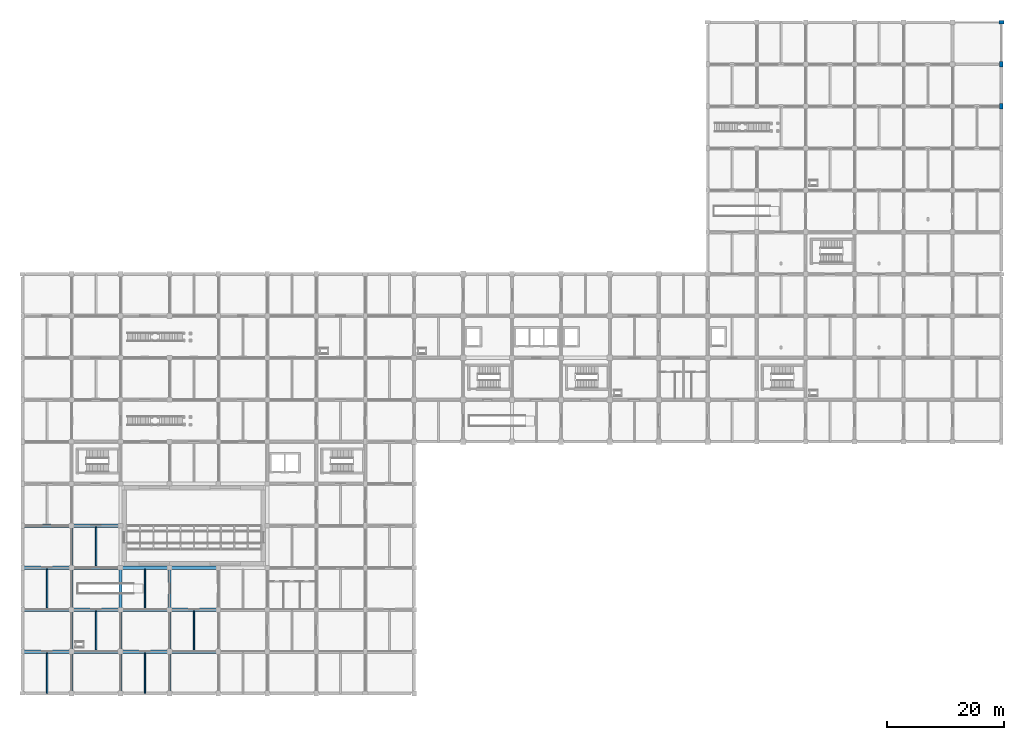
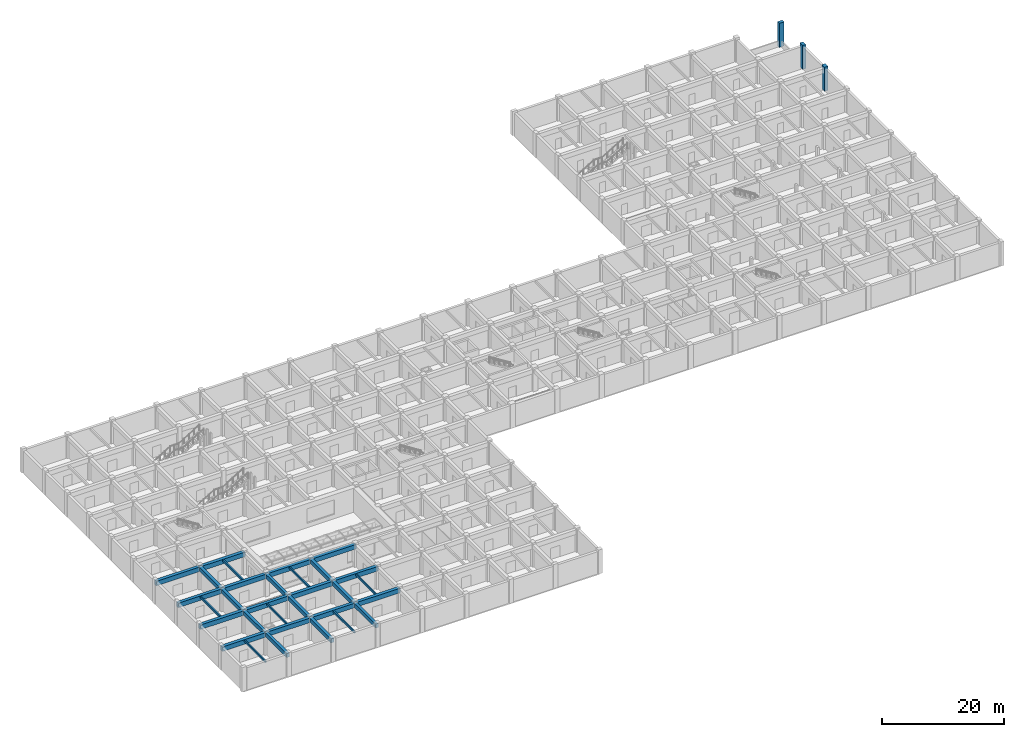
# One storey, part 7 of 32: 31 beams, 3 columns.
"""IFC4 building model written with IfcOpenShell, lengths in metres."""

from ifc_helpers import new_model, si_unit, derived_unit, direction, frame, origin, origin_2d, place, context, subcontext, project, spatial, rectangle, extrude, material, material_profile, profile_set, type_object, element, save


model = new_model("IFC4")

# Units and contexts
model_context = context("Model", 3, precision=1e-05, world=origin(), true_north=direction((0.0, 1.0)))
body_context = subcontext(model_context, "Body", "Model", "MODEL_VIEW")
ifc_project = project(units=[si_unit("LENGTHUNIT", "METRE"), si_unit("AREAUNIT", "SQUARE_METRE"), si_unit("VOLUMEUNIT", "CUBIC_METRE"), si_unit("PLANEANGLEUNIT", "RADIAN"), si_unit("MASSUNIT", "GRAM", prefix="KILO"), derived_unit("THERMALTRANSMITTANCEUNIT", [(si_unit("MASSUNIT", "GRAM", prefix="KILO"), 1), (si_unit("TIMEUNIT", "SECOND"), -3), (si_unit("THERMODYNAMICTEMPERATUREUNIT", "KELVIN"), -1)])], contexts=[model_context])

# Site, building, storey
site_placement = place(None, origin())
site = spatial("IfcSite", under=ifc_project, at=site_placement, CompositionType="ELEMENT")
building_placement = place(site_placement, origin())
building = spatial("IfcBuilding", under=site, at=building_placement, Name="Veldstrom Oceanarium and Marine Research Institute", CompositionType="ELEMENT")
storey_placement = place(building_placement, frame((0.0, 0.0, -4.800048828125)))
storey = spatial("IfcBuildingStorey", under=building, at=storey_placement, Name="B01", CompositionType="ELEMENT", Elevation=-4.800048828125)

# Columns
ifc_material_1 = material(Name="Concrete C50/60", Category="concrete")
ifc_material_profile_1 = material_profile(ifc_material_1, rectangle(XDim=0.60009765625, YDim=0.89990234375, at=origin_2d()), Name="RC-COL-900x600")
ifc_profile_set_1 = profile_set([ifc_material_profile_1], Name="Concrete C50/60")
column_type = type_object("IfcColumnType", Name="STR-COL-C11", PredefinedType="COLUMN", material=ifc_profile_set_1)
for number, where, z_axis, x_axis, name in (
    (1, (168.0, 100.800048828125, 0.0), (0.0, 0.0, 1.0), (1.0, 0.0, 0.0), "Column C11 21/Q B01"),
    (2, (168.0, 108.0, 0.0), (0.0, 0.0, 1.0), (1.0, 0.0, 0.0), "Column C11 21/R B01"),
    (3, (168.0, 115.199951171875, 0.0), (0.0, 0.0, 1.0), (0.0, 1.0, 0.0), "Column C11 21/S B01"),
):
    element("IfcColumn", number, at=place(storey_placement, frame(where, z_axis=z_axis, x_axis=x_axis)), inside=storey, type_object=column_type, Name=name, PredefinedType="COLUMN", context=body_context, shape_type="SweptSolid", body=[
        extrude(rectangle(XDim=0.60009765625, YDim=0.89990234375, at=origin_2d()), origin(), (0.0, 0.0, 1.0), 4.800048828125),
    ])

# Beams
ifc_material_2 = material(Name="Concrete C40/50", Category="concrete")
ifc_material_profile_2 = material_profile(ifc_material_2, rectangle(XDim=0.60009765625, YDim=0.89990234375, at=origin_2d()), Name="RC-BM-600x900")
ifc_profile_set_2 = profile_set([ifc_material_profile_2], Name="Concrete C40/50")
beam_type_1 = type_object("IfcBeamType", Name="STR-BM-B01", PredefinedType="BEAM", material=ifc_profile_set_2)
for number, where, z_axis, x_axis, name in (
    (4, (0.0, 7.199951171875, 3.9951171875), (1.0, 0.0, 0.0), (0.0, 1.0, 0.0), "Primary Beam B01 B01-0361"),
    (5, (0.0, 14.39990234375, 3.9951171875), (1.0, 0.0, 0.0), (0.0, 1.0, 0.0), "Primary Beam B01 B01-0362"),
    (6, (0.0, 21.60009765625, 3.9951171875), (1.0, 0.0, 0.0), (0.0, 1.0, 0.0), "Primary Beam B01 B01-0363"),
    (7, (0.0, 28.800048828125, 3.9951171875), (1.0, 0.0, 0.0), (0.0, 1.0, 0.0), "Primary Beam B01 B01-0364"),
):
    element("IfcBeam", number, at=place(storey_placement, frame(where, z_axis=z_axis, x_axis=x_axis)), inside=storey, type_object=beam_type_1, Name=name, PredefinedType="BEAM", context=body_context, shape_type="SweptSolid", body=[
        extrude(rectangle(XDim=0.60009765625, YDim=0.89990234375, at=origin_2d()), origin(), (0.0, 0.0, 1.0), 8.39990234375),
    ])
for number, where, z_axis, x_axis, name in (
    (8, (8.39990234375, 7.199951171875, 3.9951171875), (1.0, 0.0, 0.0), (0.0, 1.0, 0.0), "Primary Beam B01 B01-0370"),
    (9, (8.39990234375, 14.39990234375, 3.9951171875), (1.0, 0.0, 0.0), (0.0, 1.0, 0.0), "Primary Beam B01 B01-0371"),
    (10, (8.39990234375, 21.60009765625, 3.9951171875), (1.0, 0.0, 0.0), (0.0, 1.0, 0.0), "Primary Beam B01 B01-0372"),
    (11, (8.39990234375, 28.800048828125, 3.9951171875), (1.0, 0.0, 0.0), (0.0, 1.0, 0.0), "Primary Beam B01 B01-0373"),
):
    element("IfcBeam", number, at=place(storey_placement, frame(where, z_axis=z_axis, x_axis=x_axis)), inside=storey, type_object=beam_type_1, Name=name, PredefinedType="BEAM", context=body_context, shape_type="SweptSolid", body=[
        extrude(rectangle(XDim=0.60009765625, YDim=0.89990234375, at=origin_2d()), origin(), (0.0, 0.0, 1.0), 8.400146484375),
    ])
for number, where, z_axis, x_axis, name in (
    (12, (16.800048828125, 7.199951171875, 3.9951171875), (1.0, 0.0, 0.0), (0.0, 1.0, 0.0), "Primary Beam B01 B01-0379"),
    (13, (16.800048828125, 14.39990234375, 3.9951171875), (1.0, 0.0, 0.0), (0.0, 1.0, 0.0), "Primary Beam B01 B01-0380"),
    (14, (16.800048828125, 21.60009765625, 3.9951171875), (1.0, 0.0, 0.0), (0.0, 1.0, 0.0), "Primary Beam B01 B01-0381"),
):
    element("IfcBeam", number, at=place(storey_placement, frame(where, z_axis=z_axis, x_axis=x_axis)), inside=storey, type_object=beam_type_1, Name=name, PredefinedType="BEAM", context=body_context, shape_type="SweptSolid", body=[
        extrude(rectangle(XDim=0.60009765625, YDim=0.89990234375, at=origin_2d()), origin(), (0.0, 0.0, 1.0), 8.39990234375),
    ])
for number, where, z_axis, x_axis, name in (
    (15, (25.199951171875, 7.199951171875, 3.9951171875), (1.0, 0.0, 0.0), (0.0, 1.0, 0.0), "Primary Beam B01 B01-0387"),
    (16, (25.199951171875, 14.39990234375, 3.9951171875), (1.0, 0.0, 0.0), (0.0, 1.0, 0.0), "Primary Beam B01 B01-0388"),
    (17, (25.199951171875, 21.60009765625, 3.9951171875), (1.0, 0.0, 0.0), (0.0, 1.0, 0.0), "Primary Beam B01 B01-0389"),
):
    element("IfcBeam", number, at=place(storey_placement, frame(where, z_axis=z_axis, x_axis=x_axis)), inside=storey, type_object=beam_type_1, Name=name, PredefinedType="BEAM", context=body_context, shape_type="SweptSolid", body=[
        extrude(rectangle(XDim=0.60009765625, YDim=0.89990234375, at=origin_2d()), origin(), (0.0, 0.0, 1.0), 8.400146484375),
    ])
ifc_material_3 = material(Name="Concrete C40/50", Category="concrete")
ifc_material_profile_3 = material_profile(ifc_material_3, rectangle(XDim=0.550048828125, YDim=0.800048828125, at=origin_2d()), Name="RC-BM-550x800")
ifc_profile_set_3 = profile_set([ifc_material_profile_3], Name="Concrete C40/50")
beam_type_2 = type_object("IfcBeamType", Name="STR-BM-B02", PredefinedType="BEAM", material=ifc_profile_set_3)
for number, where, z_axis, x_axis, name in (
    (18, (8.39990234375, 0.0, 4.045166015625), (0.0, 1.0, 0.0), (-1.0, 0.0, 0.0), "Primary Beam B02 B01-0501"),
    (19, (8.39990234375, 7.199951171875, 4.045166015625), (0.0, 1.0, 0.0), (-1.0, 0.0, 0.0), "Primary Beam B02 B01-0502"),
):
    element("IfcBeam", number, at=place(storey_placement, frame(where, z_axis=z_axis, x_axis=x_axis)), inside=storey, type_object=beam_type_2, Name=name, PredefinedType="BEAM", context=body_context, shape_type="SweptSolid", body=[
        extrude(rectangle(XDim=0.550048828125, YDim=0.800048828125, at=origin_2d()), origin(), (0.0, 0.0, 1.0), 7.199951171875),
    ])
beam_1_placement = place(storey_placement, frame((8.39990234375, 14.39990234375, 4.045166015625), z_axis=(0.0, 1.0, 0.0), x_axis=(-1.0, 0.0, 0.0)))
element("IfcBeam", 20, at=beam_1_placement, inside=storey, type_object=beam_type_2, Name="Primary Beam B02 B01-0503", PredefinedType="BEAM", context=body_context, shape_type="SweptSolid", body=[
    extrude(rectangle(XDim=0.550048828125, YDim=0.800048828125, at=origin_2d()), origin(), (0.0, 0.0, 1.0), 7.2001953125),
])
for number, where, z_axis, x_axis, name in (
    (21, (8.39990234375, 21.60009765625, 4.045166015625), (0.0, 1.0, 0.0), (-1.0, 0.0, 0.0), "Primary Beam B02 B01-0504"),
    (22, (16.800048828125, 0.0, 4.045166015625), (0.0, 1.0, 0.0), (-1.0, 0.0, 0.0), "Primary Beam B02 B01-0511"),
    (23, (16.800048828125, 7.199951171875, 4.045166015625), (0.0, 1.0, 0.0), (-1.0, 0.0, 0.0), "Primary Beam B02 B01-0512"),
):
    element("IfcBeam", number, at=place(storey_placement, frame(where, z_axis=z_axis, x_axis=x_axis)), inside=storey, type_object=beam_type_2, Name=name, PredefinedType="BEAM", context=body_context, shape_type="SweptSolid", body=[
        extrude(rectangle(XDim=0.550048828125, YDim=0.800048828125, at=origin_2d()), origin(), (0.0, 0.0, 1.0), 7.199951171875),
    ])
beam_2_placement = place(storey_placement, frame((16.800048828125, 14.39990234375, 4.045166015625), z_axis=(0.0, 1.0, 0.0), x_axis=(-1.0, 0.0, 0.0)))
element("IfcBeam", 24, at=beam_2_placement, inside=storey, type_object=beam_type_2, Name="Primary Beam B02 B01-0513", PredefinedType="BEAM", context=body_context, shape_type="SweptSolid", body=[
    extrude(rectangle(XDim=0.550048828125, YDim=0.800048828125, at=origin_2d()), origin(), (0.0, 0.0, 1.0), 7.2001953125),
])
for number, where, z_axis, x_axis, name in (
    (25, (25.199951171875, 0.0, 4.045166015625), (0.0, 1.0, 0.0), (-1.0, 0.0, 0.0), "Primary Beam B02 B01-0521"),
    (26, (25.199951171875, 7.199951171875, 4.045166015625), (0.0, 1.0, 0.0), (-1.0, 0.0, 0.0), "Primary Beam B02 B01-0522"),
):
    element("IfcBeam", number, at=place(storey_placement, frame(where, z_axis=z_axis, x_axis=x_axis)), inside=storey, type_object=beam_type_2, Name=name, PredefinedType="BEAM", context=body_context, shape_type="SweptSolid", body=[
        extrude(rectangle(XDim=0.550048828125, YDim=0.800048828125, at=origin_2d()), origin(), (0.0, 0.0, 1.0), 7.199951171875),
    ])
beam_3_placement = place(storey_placement, frame((25.199951171875, 14.39990234375, 4.045166015625), z_axis=(0.0, 1.0, 0.0), x_axis=(-1.0, 0.0, 0.0)))
element("IfcBeam", 27, at=beam_3_placement, inside=storey, type_object=beam_type_2, Name="Primary Beam B02 B01-0523", PredefinedType="BEAM", context=body_context, shape_type="SweptSolid", body=[
    extrude(rectangle(XDim=0.550048828125, YDim=0.800048828125, at=origin_2d()), origin(), (0.0, 0.0, 1.0), 7.2001953125),
])
ifc_material_4 = material(Name="Concrete C40/50", Category="concrete")
ifc_material_profile_4 = material_profile(ifc_material_4, rectangle(XDim=0.25, YDim=0.39990234375, at=origin_2d()), Name="RC-JST-250x400")
ifc_profile_set_4 = profile_set([ifc_material_profile_4], Name="Concrete C40/50")
beam_type_3 = type_object("IfcBeamType", Name="STR-JST-J02", PredefinedType="JOIST", material=ifc_profile_set_4)
beam_4_placement = place(storey_placement, frame((4.199951171875, 0.0, 4.2451171875), z_axis=(0.0, 1.0, 0.0), x_axis=(-1.0, 0.0, 0.0)))
element("IfcBeam", 28, at=beam_4_placement, inside=storey, type_object=beam_type_3, Name="Secondary Joist J02 B01-0644", PredefinedType="JOIST", context=body_context, shape_type="SweptSolid", body=[
    extrude(rectangle(XDim=0.25, YDim=0.39990234375, at=origin_2d()), origin(), (0.0, 0.0, 1.0), 6.89990234375),
])
for number, where, z_axis, x_axis, name in (
    (29, (4.199951171875, 14.699951171875, 4.2451171875), (0.0, 1.0, 0.0), (-1.0, 0.0, 0.0), "Secondary Joist J02 B01-0645"),
    (30, (12.60009765625, 7.5, 4.2451171875), (0.0, 1.0, 0.0), (-1.0, 0.0, 0.0), "Secondary Joist J02 B01-0649"),
    (31, (12.60009765625, 21.89990234375, 4.2451171875), (0.0, 1.0, 0.0), (-1.0, 0.0, 0.0), "Secondary Joist J02 B01-0650"),
):
    element("IfcBeam", number, at=place(storey_placement, frame(where, z_axis=z_axis, x_axis=x_axis)), inside=storey, type_object=beam_type_3, Name=name, PredefinedType="JOIST", context=body_context, shape_type="SweptSolid", body=[
        extrude(rectangle(XDim=0.25, YDim=0.39990234375, at=origin_2d()), origin(), (0.0, 0.0, 1.0), 6.60009765625),
    ])
beam_5_placement = place(storey_placement, frame((21.0, 0.0, 4.2451171875), z_axis=(0.0, 1.0, 0.0), x_axis=(-1.0, 0.0, 0.0)))
element("IfcBeam", 32, at=beam_5_placement, inside=storey, type_object=beam_type_3, Name="Secondary Joist J02 B01-0653", PredefinedType="JOIST", context=body_context, shape_type="SweptSolid", body=[
    extrude(rectangle(XDim=0.25, YDim=0.39990234375, at=origin_2d()), origin(), (0.0, 0.0, 1.0), 6.89990234375),
])
for number, where, z_axis, x_axis, name in (
    (33, (21.0, 14.699951171875, 4.2451171875), (0.0, 1.0, 0.0), (-1.0, 0.0, 0.0), "Secondary Joist J02 B01-0654"),
    (34, (29.39990234375, 7.5, 4.2451171875), (0.0, 1.0, 0.0), (-1.0, 0.0, 0.0), "Secondary Joist J02 B01-0657"),
):
    element("IfcBeam", number, at=place(storey_placement, frame(where, z_axis=z_axis, x_axis=x_axis)), inside=storey, type_object=beam_type_3, Name=name, PredefinedType="JOIST", context=body_context, shape_type="SweptSolid", body=[
        extrude(rectangle(XDim=0.25, YDim=0.39990234375, at=origin_2d()), origin(), (0.0, 0.0, 1.0), 6.60009765625),
    ])

save(model, "model.ifc")
